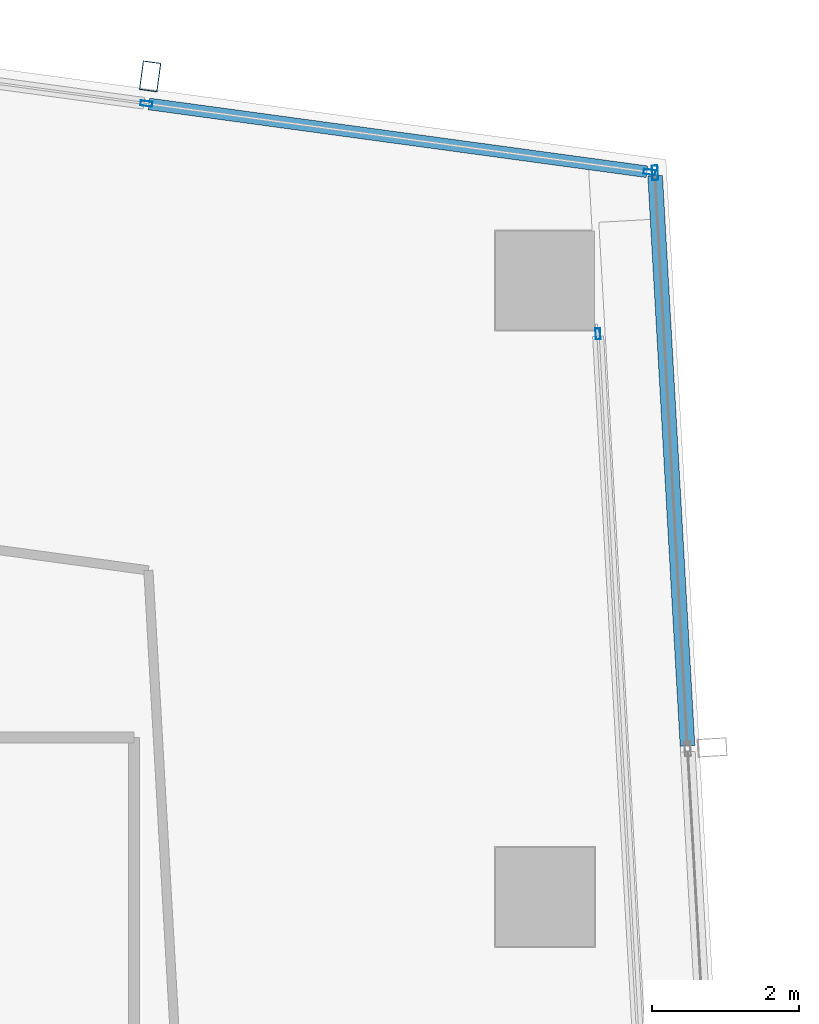
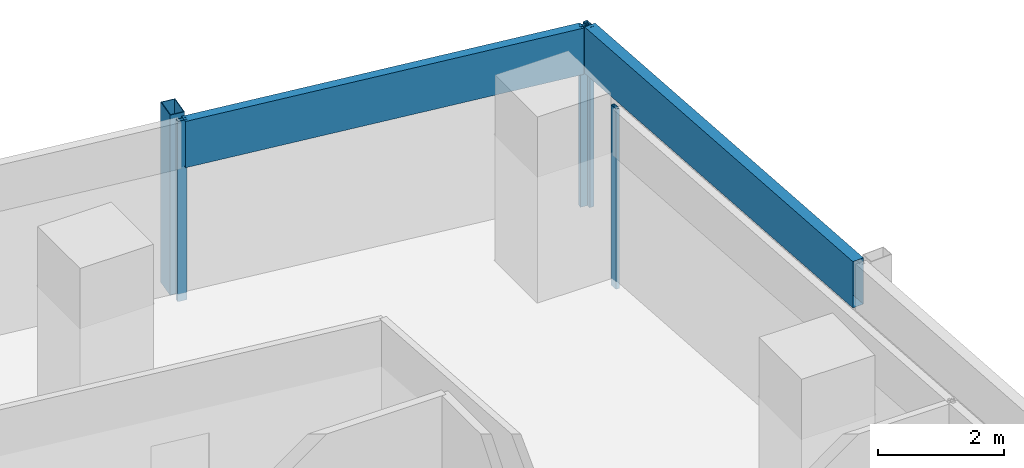
# One storey, part 24 of 39: 7 members, 3 elements without a shape of their own.
"""IFC4 building model written with IfcOpenShell, lengths in metres."""

from ifc_helpers import new_model, si_unit, direction, frame, origin, origin_2d, place, context, subcontext, project, spatial, hollow_rectangle, extrude, material, material_profile, profile_set, type_object, element, aggregate, save


model = new_model("IFC4")

# Units and contexts
model_context = context("Model", 3, precision=1e-05, world=origin(), true_north=direction((0.0, 1.0)))
body_context = subcontext(model_context, "Body", "Model", "MODEL_VIEW")
ifc_project = project(units=[si_unit("LENGTHUNIT", "METRE"), si_unit("AREAUNIT", "SQUARE_METRE"), si_unit("VOLUMEUNIT", "CUBIC_METRE"), si_unit("PLANEANGLEUNIT", "RADIAN"), si_unit("MASSUNIT", "GRAM", prefix="KILO")], contexts=[model_context])

# Site, building, storey
site_placement = place(None, origin())
site = spatial("IfcSite", under=ifc_project, at=site_placement, CompositionType="ELEMENT")
building_placement = place(site_placement, origin())
building = spatial("IfcBuilding", under=site, at=building_placement, Name="Rekha Terrace Tower", CompositionType="ELEMENT")
storey_placement = place(building_placement, frame((0.0, 0.0, 225.199951171875)))
storey = spatial("IfcBuildingStorey", under=building, at=storey_placement, Name="L57", CompositionType="ELEMENT", Elevation=225.199951171875)

# Curtain wall, member
ifc_material_1 = material(Name="Aluminium framing", Category="aluminium")
curtain_wall_type_1 = type_object("IfcCurtainWallType", Name="CW3 north unitised glazing", PredefinedType="USERDEFINED", material=ifc_material_1)
curtain_wall_1_placement = place(storey_placement, origin())
curtain_wall_1 = element("IfcCurtainWall", 1, at=curtain_wall_1_placement, inside=storey, type_object=curtain_wall_type_1, Name="CW3 unitised curtain wall", ObjectType="UNITISED CURTAIN WALL", PredefinedType="USERDEFINED")
ifc_material_2 = material(Name="Steel S355 with fluorocarbon finish", Category="steel")
ifc_material_profile_1 = material_profile(ifc_material_2, hollow_rectangle(XDim=0.25, YDim=0.39990234375, WallThickness=0.012451171875, at=origin_2d()), Name="RHS400x250x12.5")
ifc_profile_set_1 = profile_set([ifc_material_profile_1], Name="Steel S355 with fluorocarbon finish")
member_type_1 = type_object("IfcMemberType", Name="BL1 facade blade RHS 400 x 250", PredefinedType="USERDEFINED", material=ifc_profile_set_1)
member_1_placement = place(storey_placement, frame((53.419921875, 61.583251953125, 0.0), z_axis=(0.0, 0.0, 1.0), x_axis=(-0.990867309488, 0.134840553943, 0.0)))
member_1 = element("IfcMember", 2, at=member_1_placement, type_object=member_type_1, Name="Facade blade", ObjectType="FACADE BLADE", PredefinedType="USERDEFINED", context=body_context, shape_type="SweptSolid", body=[
    extrude(hollow_rectangle(XDim=0.25, YDim=0.39990234375, WallThickness=0.012451171875, at=origin_2d()), origin(), (0.0, 0.0, 1.0), 3.5),
])

curtain_wall_type_2 = type_object("IfcCurtainWallType", Name="CW1 double skin inner glazing", PredefinedType="USERDEFINED", material=ifc_material_1)
curtain_wall_2_placement = place(storey_placement, origin())
curtain_wall_2 = element("IfcCurtainWall", 3, at=curtain_wall_2_placement, inside=storey, type_object=curtain_wall_type_2, Name="CW1 double skin inner glazing", ObjectType="DOUBLE SKIN INNER GLAZING", PredefinedType="USERDEFINED")
ifc_material_3 = material(Name="Aluminium mullion section", Category="aluminium")
ifc_material_profile_2 = material_profile(ifc_material_3, hollow_rectangle(XDim=0.06494140625, YDim=0.14990234375, WallThickness=0.00390625, at=origin_2d()), Name="AL RHS 65x150")
ifc_profile_set_2 = profile_set([ifc_material_profile_2], Name="Aluminium mullion section")
member_type_2 = type_object("IfcMemberType", Name="CW1 mullion RHS 65 x 150", PredefinedType="MULLION", material=ifc_profile_set_2)
member_2_placement = place(storey_placement, frame((59.523193359375, 58.0751953125, 0.0), z_axis=(0.0, 0.0, 1.0), x_axis=(-0.998392782919, -0.05667319486, 0.0)))
member_2 = element("IfcMember", 4, at=member_2_placement, type_object=member_type_2, Name="CW1 mullion 4", PredefinedType="MULLION", context=body_context, shape_type="SweptSolid", body=[
    extrude(hollow_rectangle(XDim=0.06494140625, YDim=0.14990234375, WallThickness=0.00390625, at=origin_2d()), origin(), (0.0, 0.0, 1.0), 3.5),
])
aggregate(curtain_wall_2, [member_2])

# Curtain wall, members
curtain_wall_type_3 = type_object("IfcCurtainWallType", Name="CW2 double skin outer glazing", PredefinedType="USERDEFINED", material=ifc_material_1)
curtain_wall_3_placement = place(storey_placement, origin())
curtain_wall_3 = element("IfcCurtainWall", 5, at=curtain_wall_3_placement, inside=storey, type_object=curtain_wall_type_3, Name="CW2 double skin outer glazing", ObjectType="DOUBLE SKIN OUTER GLAZING", PredefinedType="USERDEFINED")
ifc_material_profile_3 = material_profile(ifc_material_3, hollow_rectangle(XDim=0.080078125, YDim=0.199951171875, WallThickness=0.00390625, at=origin_2d()), Name="AL RHS 80x200")
ifc_profile_set_3 = profile_set([ifc_material_profile_3], Name="Aluminium mullion section")
member_type_3 = type_object("IfcMemberType", Name="CW2 mullion RHS 80 x 200", PredefinedType="MULLION", material=ifc_profile_set_3)
member_3_placement = place(storey_placement, frame((60.300048828125, 60.269287109375, 0.0), z_axis=(0.0, 0.0, 1.0), x_axis=(-0.998392782919, -0.05667319486, 0.0)))
member_3 = element("IfcMember", 6, at=member_3_placement, type_object=member_type_3, Name="CW2 mullion 5", PredefinedType="MULLION", context=body_context, shape_type="SweptSolid", body=[
    extrude(hollow_rectangle(XDim=0.080078125, YDim=0.199951171875, WallThickness=0.00390625, at=origin_2d()), origin(), (0.0, 0.0, 1.0), 3.5),
])
ifc_material_4 = material(Name="Insulated aluminium spandrel box", Category="aluminium")
ifc_material_profile_4 = material_profile(ifc_material_4, hollow_rectangle(XDim=0.199951171875, YDim=0.89990234375, WallThickness=0.0029296875, at=origin_2d()), Name="AL SPANDREL BOX 200x900")
ifc_profile_set_4 = profile_set([ifc_material_profile_4], Name="Insulated aluminium spandrel box")
member_type_4 = type_object("IfcMemberType", Name="CW2 spandrel transom 200 x 900", PredefinedType="USERDEFINED", material=ifc_profile_set_4)
member_4_placement = place(storey_placement, frame((60.743408203125, 52.45849609375, 3.050048828125), z_axis=(-0.05667908121, 0.998392448766, 0.0), x_axis=(-0.998392448766, -0.05667908121, 0.0)))
member_4 = element("IfcMember", 7, at=member_4_placement, type_object=member_type_4, Name="CW2 spandrel transom 4", ObjectType="TRANSOM", PredefinedType="USERDEFINED", context=body_context, shape_type="SweptSolid", body=[
    extrude(hollow_rectangle(XDim=0.199951171875, YDim=0.89990234375, WallThickness=0.0029296875, at=origin_2d()), origin(), (0.0, 0.0, 1.0), 7.783447265625),
])
aggregate(curtain_wall_3, [member_3, member_4])

# Member
ifc_material_profile_5 = material_profile(ifc_material_3, hollow_rectangle(XDim=0.070068359375, YDim=0.159912109375, WallThickness=0.00390625, at=origin_2d()), Name="AL RHS 70x160")
ifc_profile_set_5 = profile_set([ifc_material_profile_5], Name="Aluminium mullion section")
member_type_5 = type_object("IfcMemberType", Name="CW3 mullion RHS 70 x 160", PredefinedType="MULLION", material=ifc_profile_set_5)
member_5_placement = place(storey_placement, frame((60.22509765625, 60.27880859375, 0.0), z_axis=(0.0, 0.0, 1.0), x_axis=(-0.134840840416, -0.990867270504, 0.0)))
member_5 = element("IfcMember", 8, at=member_5_placement, type_object=member_type_5, Name="CW3 mullion 1", PredefinedType="MULLION", context=body_context, shape_type="SweptSolid", body=[
    extrude(hollow_rectangle(XDim=0.070068359375, YDim=0.159912109375, WallThickness=0.00390625, at=origin_2d()), origin(), (0.0, 0.0, 1.0), 3.5),
])

member_6_placement = place(storey_placement, frame((53.369384765625, 61.211669921875, 0.0), z_axis=(0.0, 0.0, 1.0), x_axis=(-0.134840840416, -0.990867270504, 0.0)))
member_6 = element("IfcMember", 9, at=member_6_placement, type_object=member_type_5, Name="CW3 mullion 2", PredefinedType="MULLION", context=body_context, shape_type="SweptSolid", body=[
    extrude(hollow_rectangle(XDim=0.070068359375, YDim=0.159912109375, WallThickness=0.00390625, at=origin_2d()), origin(), (0.0, 0.0, 1.0), 3.5),
])

ifc_material_profile_6 = material_profile(ifc_material_4, hollow_rectangle(XDim=0.159912109375, YDim=0.89990234375, WallThickness=0.0029296875, at=origin_2d()), Name="AL SPANDREL BOX 160x900")
ifc_profile_set_6 = profile_set([ifc_material_profile_6], Name="Insulated aluminium spandrel box")
member_type_6 = type_object("IfcMemberType", Name="CW3 spandrel transom 160 x 900", PredefinedType="USERDEFINED", material=ifc_profile_set_6)
member_7_placement = place(storey_placement, frame((60.190185546875, 60.283447265625, 3.050048828125), z_axis=(-0.990865276141, 0.134855495022, 0.0), x_axis=(-0.134855495022, -0.990865276141, 0.0)))
member_7 = element("IfcMember", 10, at=member_7_placement, type_object=member_type_6, Name="CW3 spandrel transom 1", ObjectType="TRANSOM", PredefinedType="USERDEFINED", context=body_context, shape_type="SweptSolid", body=[
    extrude(hollow_rectangle(XDim=0.159912109375, YDim=0.89990234375, WallThickness=0.0029296875, at=origin_2d()), origin(), (0.0, 0.0, 1.0), 6.8486328125),
])

aggregate(curtain_wall_1, [member_5, member_6, member_7, member_1])

save(model, "model.ifc")
